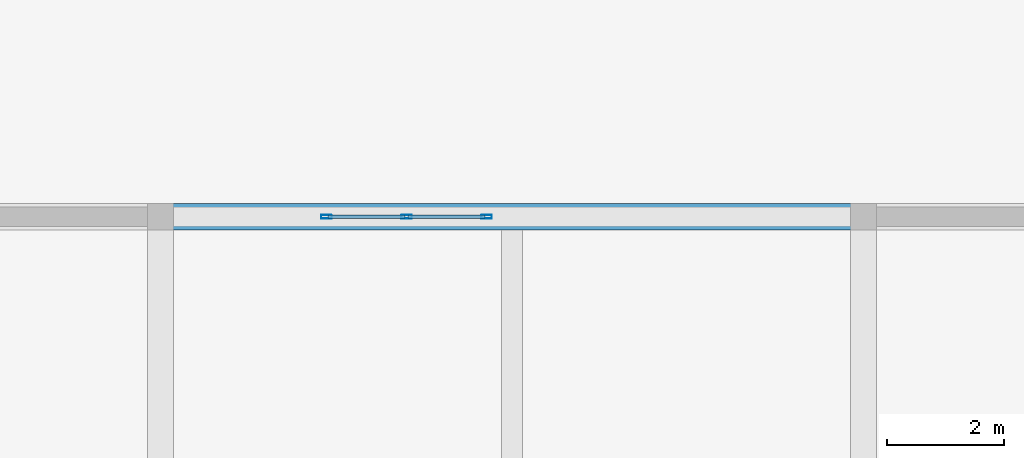
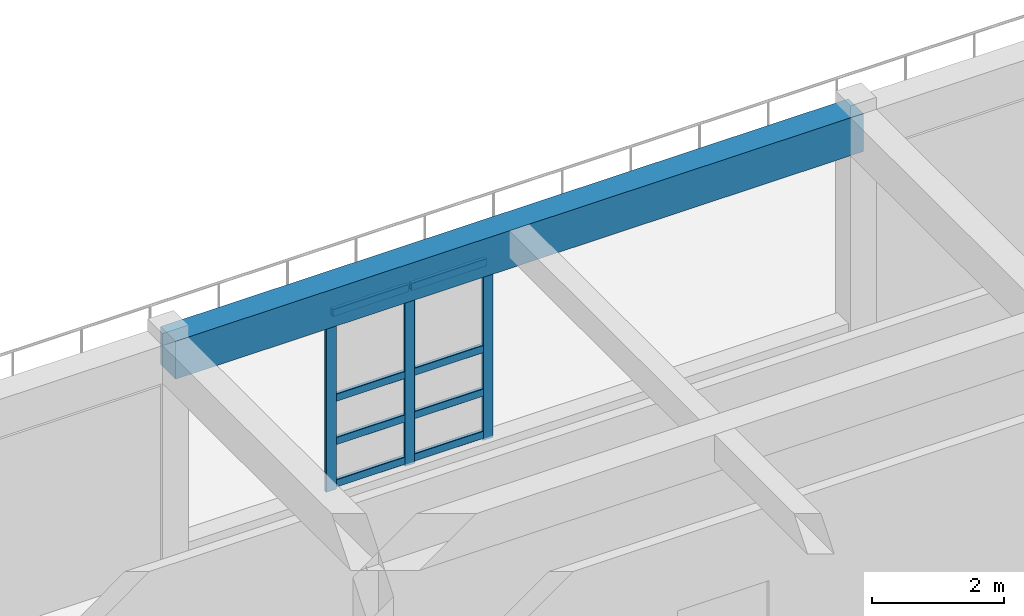
# One storey, part 4 of 15: 11 members, 1 beam, 1 element without a shape of its own.
"""IFC4 building model written with IfcOpenShell, lengths in metres."""

import ifcopenshell
import ifcopenshell.guid

model = None  # the IFC model being written
_history = None  # IfcOwnerHistory: only IFC2X3 demands one
_inside = {}  # id of a spatial element -> (the spatial element, [elements in it])
_under = {}  # id of a project, library or spatial element -> (it, [spatial elements below it])
_declared = {}  # id of a project -> (the project, [libraries it declares])
_typed = {}  # id of a type object -> (the type object, [elements of that type])
_made_of = {}  # id of a material, layer set ... -> (it, [elements and type objects made of it])


def new_model(schema):
    """Start an empty IFC model of exactly this schema.

    Asked for "IFC4X3", IfcOpenShell would pick the latest addendum, in which some entities
    have other attributes; the version numbers below select the first issue.
    IFC2X3 requires an IfcOwnerHistory on every rooted entity: one is made here for all.
    """
    global model, _history
    if schema == "IFC4X3":
        model = ifcopenshell.file(schema_version=(4, 3, 0, 0))
    else:
        model = ifcopenshell.file(schema=schema)
    _inside.clear()
    _under.clear()
    _declared.clear()
    _typed.clear()
    _made_of.clear()
    _history = None
    if model.schema == "IFC2X3":
        org = make("IfcOrganization", Name="unknown")
        user = make(
            "IfcPersonAndOrganization",
            ThePerson=make("IfcPerson", FamilyName="unknown"),
            TheOrganization=org,
        )
        app = make(
            "IfcApplication",
            ApplicationDeveloper=org,
            Version="unknown",
            ApplicationFullName="unknown",
            ApplicationIdentifier="unknown",
        )
        _history = make(
            "IfcOwnerHistory",
            OwningUser=user,
            OwningApplication=app,
            ChangeAction="ADDED",
            CreationDate=0,
        )
    return model


def make(cls, **values):
    """One entity of the class cls with the attributes given. An attribute that is None is left unset."""
    return model.create_entity(
        cls, **{name: value for name, value in values.items() if value is not None}
    )


def rooted(cls, **values):
    """An entity with a GlobalId (a new one), such as an element, a storey or a relation."""
    return make(cls, GlobalId=ifcopenshell.guid.new(), OwnerHistory=_history, **values)


def si_unit(unit_type, name, prefix=None):
    """IfcSIUnit, for example si_unit("LENGTHUNIT", "METRE", prefix="MILLI")."""
    return make("IfcSIUnit", UnitType=unit_type, Prefix=prefix, Name=name)


def derived_unit(unit_type, elements):
    """IfcDerivedUnit: a product of units, each with its exponent."""
    return make(
        "IfcDerivedUnit",
        Elements=[
            make("IfcDerivedUnitElement", Unit=unit, Exponent=power)
            for unit, power in elements
        ],
        UnitType=unit_type,
    )


def assignment(units):
    """IfcUnitAssignment: the units of a project."""
    return None if units is None else make("IfcUnitAssignment", Units=units)


def point(xyz):
    """IfcCartesianPoint."""
    return None if xyz is None else make("IfcCartesianPoint", Coordinates=xyz)


def direction(xyz):
    """IfcDirection."""
    return None if xyz is None else make("IfcDirection", DirectionRatios=xyz)


def frame(location, z_axis=None, x_axis=None):
    """IfcAxis2Placement3D, a coordinate frame: its origin and axes. An axis left out is left unset."""
    return make(
        "IfcAxis2Placement3D",
        Location=point(location),
        Axis=direction(z_axis),
        RefDirection=direction(x_axis),
    )


def frame_2d(location, x_axis=None):
    """IfcAxis2Placement2D, a coordinate frame in the plane: its origin and x axis."""
    return make(
        "IfcAxis2Placement2D", Location=point(location), RefDirection=direction(x_axis)
    )


def origin():
    """The frame at (0, 0, 0) with its axes left unset."""
    return frame((0.0, 0.0, 0.0))


def origin_2d():
    """The frame at (0, 0) in the plane with its x axis left unset."""
    return frame_2d((0.0, 0.0))


def place(relative_to, where):
    """IfcLocalPlacement: puts the frame where relative to a parent placement (None: the world)."""
    return make(
        "IfcLocalPlacement", PlacementRelTo=relative_to, RelativePlacement=where
    )


def context(
    kind, dimensions, precision=None, world=None, true_north=None, identifier=None
):
    """IfcGeometricRepresentationContext, for example the 3D "Model" context."""
    return make(
        "IfcGeometricRepresentationContext",
        ContextIdentifier=identifier,
        ContextType=kind,
        CoordinateSpaceDimension=dimensions,
        Precision=precision,
        WorldCoordinateSystem=world,
        TrueNorth=true_north,
    )


def subcontext(parent, identifier, kind, view, scale=None):
    """IfcGeometricRepresentationSubContext, for example "Body" below "Model"."""
    return make(
        "IfcGeometricRepresentationSubContext",
        ContextIdentifier=identifier,
        ContextType=kind,
        ParentContext=parent,
        TargetScale=scale,
        TargetView=view,
    )


def project(units=None, contexts=None):
    """IfcProject with its units and contexts."""
    return rooted(
        "IfcProject",
        Name="project",
        RepresentationContexts=contexts,
        UnitsInContext=assignment(units),
    )


def spatial(cls, under=None, at=None, **own):
    """A site, building, storey or space (cls), placed at a placement, below another one or the project."""
    s = rooted(cls, ObjectPlacement=at, **own)
    if under is not None:
        _under.setdefault(under.id(), (under, []))[1].append(s)
    return s


def profile(cls, at=None, kind="AREA", **sizes):
    """A parametric profile (cls). Its sizes go by their IFC names, for example OverallWidth=200.0."""
    return make(cls, ProfileType=kind, Position=at, **sizes)


def rectangle(**sizes):
    """IfcRectangleProfileDef."""
    return profile("IfcRectangleProfileDef", **sizes)


def hollow_rectangle(**sizes):
    """IfcRectangleHollowProfileDef."""
    return profile("IfcRectangleHollowProfileDef", **sizes)


def extrude(swept, where, along, depth):
    """IfcExtrudedAreaSolid: the profile swept, set in the frame where, extruded along a direction by depth."""
    return make(
        "IfcExtrudedAreaSolid",
        SweptArea=swept,
        Position=where,
        ExtrudedDirection=direction(along),
        Depth=depth,
    )


def shape(context_of_items, identifier, shape_type, items):
    """IfcShapeRepresentation: the items that make up one representation, for example the "Body"."""
    return make(
        "IfcShapeRepresentation",
        ContextOfItems=context_of_items,
        RepresentationIdentifier=identifier,
        RepresentationType=shape_type,
        Items=items,
    )


def material(Name=None, Category=None):
    """IfcMaterial."""
    return make("IfcMaterial", Name=Name, Category=Category)


def layer(
    of_material, thickness, ventilated=None, Name=None, Category=None, Priority=None
):
    """IfcMaterialLayer: one layer of a wall or slab, of a material (None: an air gap)."""
    return make(
        "IfcMaterialLayer",
        Material=of_material,
        LayerThickness=thickness,
        IsVentilated=ventilated,
        Name=Name,
        Category=Category,
        Priority=Priority,
    )


def layer_set(layers, Name=None):
    """IfcMaterialLayerSet."""
    return make("IfcMaterialLayerSet", MaterialLayers=layers, LayerSetName=Name)


def material_profile(
    of_material, cross_section, Name=None, Category=None, Priority=None
):
    """IfcMaterialProfile: a cross section and its material."""
    return make(
        "IfcMaterialProfile",
        Name=Name,
        Material=of_material,
        Profile=cross_section,
        Priority=Priority,
        Category=Category,
    )


def profile_set(profiles, Name=None, composite=None):
    """IfcMaterialProfileSet."""
    return make(
        "IfcMaterialProfileSet",
        Name=Name,
        MaterialProfiles=profiles,
        CompositeProfile=composite,
    )


def made_of(thing, what):
    """Note that an element or type object is made of a material, layer set ...; save() writes the relation."""
    if what is not None:
        _made_of.setdefault(what.id(), (what, []))[1].append(thing)
    return thing


def type_object(cls, material=None, **own):
    """A type object (cls), such as IfcWallType, which elements share."""
    return made_of(rooted(cls, **own), material)


def element(
    cls,
    number,
    at=None,
    inside=None,
    cuts=None,
    type_object=None,
    material=None,
    context=None,
    identifier="Body",
    shape_type=None,
    held_by="IfcProductDefinitionShape",
    body=None,
    shapes=None,
    **own,
):
    """One element of the class cls, such as IfcWall. Its Tag is "e" and its number.

    at: its placement. inside: the storey or other place that contains it. cuts: it is an
    opening in that element (IfcRelVoidsElement). A single representation is given by context,
    identifier, shape_type and body (its items); several are given by shapes. held_by: the class
    of the entity that holds the representations. save() writes the other relations.
    """
    e = rooted(cls, Tag="e%d" % number, ObjectPlacement=at, **own)
    if body is not None:
        shapes = [shape(context, identifier, shape_type, body)]
    if shapes is not None:
        e.Representation = make(held_by, Representations=shapes)
    if inside is not None:
        _inside.setdefault(inside.id(), (inside, []))[1].append(e)
    if cuts is not None:
        rooted(
            "IfcRelVoidsElement", RelatingBuildingElement=cuts, RelatedOpeningElement=e
        )
    if type_object is not None:
        _typed.setdefault(type_object.id(), (type_object, []))[1].append(e)
    return made_of(e, material)


def aggregate(whole, parts):
    """IfcRelAggregates: a whole, such as a stair, and the parts it consists of."""
    return rooted("IfcRelAggregates", RelatingObject=whole, RelatedObjects=parts)


def save(model, path):
    """Write the relations noted so far, then the file.

    IfcRelAggregates (storeys below a building ...), IfcRelContainedInSpatialStructure (elements
    in a storey), IfcRelDefinesByType, IfcRelAssociatesMaterial and IfcRelDeclares: one each for
    every whole, place, type object, material and project.
    """
    for whole, parts in _under.values():
        aggregate(whole, parts)
    for where, things in _inside.values():
        rooted(
            "IfcRelContainedInSpatialStructure",
            RelatedElements=things,
            RelatingStructure=where,
        )
    for kind, things in _typed.values():
        rooted("IfcRelDefinesByType", RelatedObjects=things, RelatingType=kind)
    for what, things in _made_of.values():
        rooted("IfcRelAssociatesMaterial", RelatedObjects=things, RelatingMaterial=what)
    for by, libraries in _declared.values():
        rooted("IfcRelDeclares", RelatingContext=by, RelatedDefinitions=libraries)
    model.write(path)


model = new_model("IFC4")

# Units and contexts
model_context = context("Model", 3, precision=1e-05, world=origin(), true_north=direction((0.0, 1.0)))
body_context = subcontext(model_context, "Body", "Model", "MODEL_VIEW")
ifc_project = project(units=[si_unit("LENGTHUNIT", "METRE"), si_unit("AREAUNIT", "SQUARE_METRE"), si_unit("VOLUMEUNIT", "CUBIC_METRE"), si_unit("PLANEANGLEUNIT", "RADIAN"), si_unit("MASSUNIT", "GRAM", prefix="KILO"), derived_unit("THERMALTRANSMITTANCEUNIT", [(si_unit("POWERUNIT", "WATT"), 1), (si_unit("LENGTHUNIT", "METRE"), -2), (si_unit("THERMODYNAMICTEMPERATUREUNIT", "KELVIN"), -1)])], contexts=[model_context])

# Site, building, storey
site_placement = place(None, origin())
site = spatial("IfcSite", under=ifc_project, at=site_placement, CompositionType="ELEMENT")
building_placement = place(site_placement, origin())
building = spatial("IfcBuilding", under=site, at=building_placement, Name="Almenara Railside Exhibition Hall", CompositionType="ELEMENT")
storey_placement = place(building_placement, frame((0.0, 0.0, 16.199951171875)))
storey = spatial("IfcBuildingStorey", under=building, at=storey_placement, Name="L03", CompositionType="ELEMENT", Elevation=16.199951171875)

# Curtain wall, members
ifc_material_1 = material(Name="Bronze-anodised aluminium and low-E double glazing", Category="aluminium")
ifc_layer = layer(ifc_material_1, 0.179931640625, Name="Bronze-anodised aluminium and low-E double glazing")
ifc_layer_set = layer_set([ifc_layer], Name="Bronze-anodised aluminium and low-E double glazing")
curtain_wall_type = type_object("IfcCurtainWallType", Name="Belvedere North Loggia Curtain Wall 2800x3300", PredefinedType="NOTDEFINED", material=ifc_layer_set)
curtain_wall_placement = place(storey_placement, origin())
curtain_wall = element("IfcCurtainWall", 1, at=curtain_wall_placement, inside=storey, type_object=curtain_wall_type, Name="Curtain wall CW-BV1-164", PredefinedType="NOTDEFINED")
ifc_material_2 = material(Name="Bronze-anodised aluminium", Category="aluminium")
ifc_material_profile_1 = material_profile(ifc_material_2, hollow_rectangle(XDim=0.06494140625, YDim=0.179931640625, WallThickness=0.00390625, InnerFilletRadius=0.00390625, OuterFilletRadius=0.008056640625, at=origin_2d()), Name="ALU-MUL 65x180x4")
ifc_profile_set_1 = profile_set([ifc_material_profile_1], Name="Bronze-anodised aluminium")
member_type_1 = type_object("IfcMemberType", Name="Curtain Wall Mullion 65x180x4", PredefinedType="MULLION", material=ifc_profile_set_1)
member_1_placement = place(storey_placement, frame((152.83251953125, 28.0, 0.4150390625), z_axis=(0.0, 0.0, 1.0), x_axis=(0.0, 1.0, 0.0)))
member_1 = element("IfcMember", 2, at=member_1_placement, type_object=member_type_1, Name="CW-BV1-164 mullion 1", PredefinedType="MULLION", context=body_context, shape_type="SweptSolid", body=[
    extrude(hollow_rectangle(XDim=0.06494140625, YDim=0.179931640625, WallThickness=0.00390625, InnerFilletRadius=0.00390625, OuterFilletRadius=0.008056640625, at=origin_2d()), origin(), (0.0, 0.0, 1.0), 3.3349609375),
])
member_2_placement = place(storey_placement, frame((154.199951171875, 28.0, 0.4150390625), z_axis=(0.0, 0.0, 1.0), x_axis=(0.0, 1.0, 0.0)))
member_2 = element("IfcMember", 3, at=member_2_placement, type_object=member_type_1, Name="CW-BV1-164 mullion 2", PredefinedType="MULLION", context=body_context, shape_type="SweptSolid", body=[
    extrude(hollow_rectangle(XDim=0.06494140625, YDim=0.179931640625, WallThickness=0.00390625, InnerFilletRadius=0.00390625, OuterFilletRadius=0.008056640625, at=origin_2d()), origin(), (0.0, 0.0, 1.0), 3.3349609375),
])
member_3_placement = place(storey_placement, frame((155.5673828125, 28.0, 0.4150390625), z_axis=(0.0, 0.0, 1.0), x_axis=(0.0, 1.0, 0.0)))
member_3 = element("IfcMember", 4, at=member_3_placement, type_object=member_type_1, Name="CW-BV1-164 mullion 3", PredefinedType="MULLION", context=body_context, shape_type="SweptSolid", body=[
    extrude(hollow_rectangle(XDim=0.06494140625, YDim=0.179931640625, WallThickness=0.00390625, InnerFilletRadius=0.00390625, OuterFilletRadius=0.008056640625, at=origin_2d()), origin(), (0.0, 0.0, 1.0), 3.3349609375),
])
ifc_material_profile_2 = material_profile(ifc_material_2, hollow_rectangle(XDim=0.06494140625, YDim=0.139892578125, WallThickness=0.00341796875, InnerFilletRadius=0.00341796875, OuterFilletRadius=0.007080078125, at=origin_2d()), Name="ALU-TRN 65x140x3.5")
ifc_profile_set_2 = profile_set([ifc_material_profile_2], Name="Bronze-anodised aluminium")
member_type_2 = type_object("IfcMemberType", Name="Curtain Wall Transom 65x140x3.5", PredefinedType="USERDEFINED", material=ifc_profile_set_2)
member_4_placement = place(storey_placement, frame((152.85693359375, 28.0, 0.52001953125), z_axis=(1.0, 0.0, 0.0), x_axis=(0.0, 1.0, 0.0)))
member_4 = element("IfcMember", 5, at=member_4_placement, type_object=member_type_2, Name="CW-BV1-164 transom 1.1", ObjectType="TRANSOM", PredefinedType="USERDEFINED", context=body_context, shape_type="SweptSolid", body=[
    extrude(hollow_rectangle(XDim=0.06494140625, YDim=0.139892578125, WallThickness=0.00341796875, InnerFilletRadius=0.00341796875, OuterFilletRadius=0.007080078125, at=origin_2d()), origin(), (0.0, 0.0, 1.0), 1.318603515625),
])
member_5_placement = place(storey_placement, frame((152.85693359375, 28.0, 1.300048828125), z_axis=(1.0, 0.0, 0.0), x_axis=(0.0, 1.0, 0.0)))
member_5 = element("IfcMember", 6, at=member_5_placement, type_object=member_type_2, Name="CW-BV1-164 transom 1.2", ObjectType="TRANSOM", PredefinedType="USERDEFINED", context=body_context, shape_type="SweptSolid", body=[
    extrude(hollow_rectangle(XDim=0.06494140625, YDim=0.139892578125, WallThickness=0.00341796875, InnerFilletRadius=0.00341796875, OuterFilletRadius=0.007080078125, at=origin_2d()), origin(), (0.0, 0.0, 1.0), 1.318603515625),
])
member_6_placement = place(storey_placement, frame((152.85693359375, 28.0, 2.10009765625), z_axis=(1.0, 0.0, 0.0), x_axis=(0.0, 1.0, 0.0)))
member_6 = element("IfcMember", 7, at=member_6_placement, type_object=member_type_2, Name="CW-BV1-164 transom 1.3", ObjectType="TRANSOM", PredefinedType="USERDEFINED", context=body_context, shape_type="SweptSolid", body=[
    extrude(hollow_rectangle(XDim=0.06494140625, YDim=0.139892578125, WallThickness=0.00341796875, InnerFilletRadius=0.00341796875, OuterFilletRadius=0.007080078125, at=origin_2d()), origin(), (0.0, 0.0, 1.0), 1.318603515625),
])
member_7_placement = place(storey_placement, frame((152.85693359375, 28.0, 3.679931640625), z_axis=(1.0, 0.0, 0.0), x_axis=(0.0, 1.0, 0.0)))
member_7 = element("IfcMember", 8, at=member_7_placement, type_object=member_type_2, Name="CW-BV1-164 transom 1.4", ObjectType="TRANSOM", PredefinedType="USERDEFINED", context=body_context, shape_type="SweptSolid", body=[
    extrude(hollow_rectangle(XDim=0.06494140625, YDim=0.139892578125, WallThickness=0.00341796875, InnerFilletRadius=0.00341796875, OuterFilletRadius=0.007080078125, at=origin_2d()), origin(), (0.0, 0.0, 1.0), 1.318603515625),
])
member_8_placement = place(storey_placement, frame((154.224609375, 28.0, 0.52001953125), z_axis=(1.0, 0.0, 0.0), x_axis=(0.0, 1.0, 0.0)))
member_8 = element("IfcMember", 9, at=member_8_placement, type_object=member_type_2, Name="CW-BV1-164 transom 2.1", ObjectType="TRANSOM", PredefinedType="USERDEFINED", context=body_context, shape_type="SweptSolid", body=[
    extrude(hollow_rectangle(XDim=0.06494140625, YDim=0.139892578125, WallThickness=0.00341796875, InnerFilletRadius=0.00341796875, OuterFilletRadius=0.007080078125, at=origin_2d()), origin(), (0.0, 0.0, 1.0), 1.318359375),
])
member_9_placement = place(storey_placement, frame((154.224609375, 28.0, 1.300048828125), z_axis=(1.0, 0.0, 0.0), x_axis=(0.0, 1.0, 0.0)))
member_9 = element("IfcMember", 10, at=member_9_placement, type_object=member_type_2, Name="CW-BV1-164 transom 2.2", ObjectType="TRANSOM", PredefinedType="USERDEFINED", context=body_context, shape_type="SweptSolid", body=[
    extrude(hollow_rectangle(XDim=0.06494140625, YDim=0.139892578125, WallThickness=0.00341796875, InnerFilletRadius=0.00341796875, OuterFilletRadius=0.007080078125, at=origin_2d()), origin(), (0.0, 0.0, 1.0), 1.318359375),
])
member_10_placement = place(storey_placement, frame((154.224609375, 28.0, 2.10009765625), z_axis=(1.0, 0.0, 0.0), x_axis=(0.0, 1.0, 0.0)))
member_10 = element("IfcMember", 11, at=member_10_placement, type_object=member_type_2, Name="CW-BV1-164 transom 2.3", ObjectType="TRANSOM", PredefinedType="USERDEFINED", context=body_context, shape_type="SweptSolid", body=[
    extrude(hollow_rectangle(XDim=0.06494140625, YDim=0.139892578125, WallThickness=0.00341796875, InnerFilletRadius=0.00341796875, OuterFilletRadius=0.007080078125, at=origin_2d()), origin(), (0.0, 0.0, 1.0), 1.318359375),
])
member_11_placement = place(storey_placement, frame((154.224609375, 28.0, 3.679931640625), z_axis=(1.0, 0.0, 0.0), x_axis=(0.0, 1.0, 0.0)))
member_11 = element("IfcMember", 12, at=member_11_placement, type_object=member_type_2, Name="CW-BV1-164 transom 2.4", ObjectType="TRANSOM", PredefinedType="USERDEFINED", context=body_context, shape_type="SweptSolid", body=[
    extrude(hollow_rectangle(XDim=0.06494140625, YDim=0.139892578125, WallThickness=0.00341796875, InnerFilletRadius=0.00341796875, OuterFilletRadius=0.007080078125, at=origin_2d()), origin(), (0.0, 0.0, 1.0), 1.318359375),
])
aggregate(curtain_wall, [member_1, member_2, member_3, member_4, member_5, member_6, member_7, member_8, member_9, member_10, member_11])

# Beam
ifc_material_3 = material(Name="Concrete C35/45", Category="concrete")
ifc_material_profile_3 = material_profile(ifc_material_3, rectangle(XDim=0.449951171875, YDim=0.699951171875, at=origin_2d()), Name="RC 450x700")
ifc_profile_set_3 = profile_set([ifc_material_profile_3], Name="Concrete C35/45")
beam_type = type_object("IfcBeamType", Name="RC Floor Beam 450x700 C35/45", PredefinedType="BEAM", material=ifc_profile_set_3)
beam_placement = place(storey_placement, frame((150.0, 28.0, 3.929931640625), z_axis=(1.0, 0.0, 0.0), x_axis=(0.0, 1.0, 0.0)))
element("IfcBeam", 13, at=beam_placement, inside=storey, type_object=beam_type, Name="Beam 0363", PredefinedType="BEAM", context=body_context, shape_type="SweptSolid", body=[
    extrude(rectangle(XDim=0.449951171875, YDim=0.699951171875, at=origin_2d()), origin(), (0.0, 0.0, 1.0), 12.0),
])

save(model, "model.ifc")
